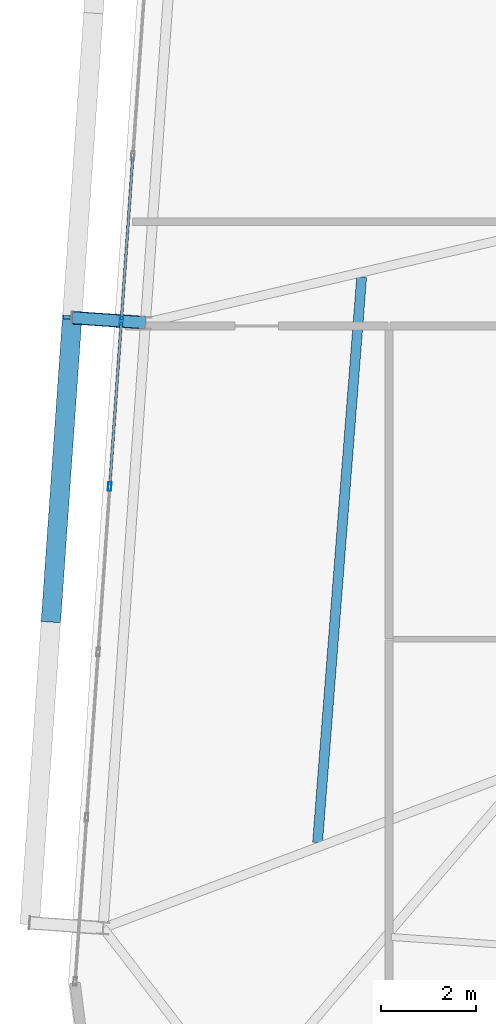
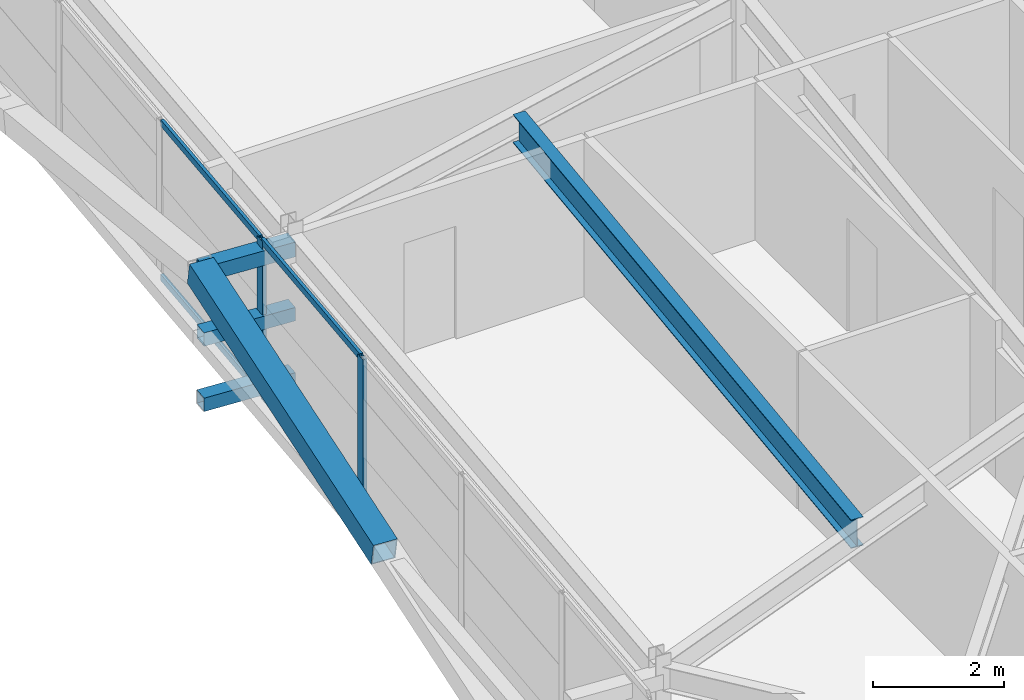
# One storey, part 14 of 47: 10 members, 1 beam, 1 element without a shape of its own.
"""IFC4 building model written with IfcOpenShell, lengths in metres."""

import ifcopenshell
import ifcopenshell.guid

model = None  # the IFC model being written
_history = None  # IfcOwnerHistory: only IFC2X3 demands one
_inside = {}  # id of a spatial element -> (the spatial element, [elements in it])
_under = {}  # id of a project, library or spatial element -> (it, [spatial elements below it])
_declared = {}  # id of a project -> (the project, [libraries it declares])
_typed = {}  # id of a type object -> (the type object, [elements of that type])
_made_of = {}  # id of a material, layer set ... -> (it, [elements and type objects made of it])


def new_model(schema):
    """Start an empty IFC model of exactly this schema.

    Asked for "IFC4X3", IfcOpenShell would pick the latest addendum, in which some entities
    have other attributes; the version numbers below select the first issue.
    IFC2X3 requires an IfcOwnerHistory on every rooted entity: one is made here for all.
    """
    global model, _history
    if schema == "IFC4X3":
        model = ifcopenshell.file(schema_version=(4, 3, 0, 0))
    else:
        model = ifcopenshell.file(schema=schema)
    _inside.clear()
    _under.clear()
    _declared.clear()
    _typed.clear()
    _made_of.clear()
    _history = None
    if model.schema == "IFC2X3":
        org = make("IfcOrganization", Name="unknown")
        user = make(
            "IfcPersonAndOrganization",
            ThePerson=make("IfcPerson", FamilyName="unknown"),
            TheOrganization=org,
        )
        app = make(
            "IfcApplication",
            ApplicationDeveloper=org,
            Version="unknown",
            ApplicationFullName="unknown",
            ApplicationIdentifier="unknown",
        )
        _history = make(
            "IfcOwnerHistory",
            OwningUser=user,
            OwningApplication=app,
            ChangeAction="ADDED",
            CreationDate=0,
        )
    return model


def make(cls, **values):
    """One entity of the class cls with the attributes given. An attribute that is None is left unset."""
    return model.create_entity(
        cls, **{name: value for name, value in values.items() if value is not None}
    )


def rooted(cls, **values):
    """An entity with a GlobalId (a new one), such as an element, a storey or a relation."""
    return make(cls, GlobalId=ifcopenshell.guid.new(), OwnerHistory=_history, **values)


def si_unit(unit_type, name, prefix=None):
    """IfcSIUnit, for example si_unit("LENGTHUNIT", "METRE", prefix="MILLI")."""
    return make("IfcSIUnit", UnitType=unit_type, Prefix=prefix, Name=name)


def assignment(units):
    """IfcUnitAssignment: the units of a project."""
    return None if units is None else make("IfcUnitAssignment", Units=units)


def point(xyz):
    """IfcCartesianPoint."""
    return None if xyz is None else make("IfcCartesianPoint", Coordinates=xyz)


def direction(xyz):
    """IfcDirection."""
    return None if xyz is None else make("IfcDirection", DirectionRatios=xyz)


def frame(location, z_axis=None, x_axis=None):
    """IfcAxis2Placement3D, a coordinate frame: its origin and axes. An axis left out is left unset."""
    return make(
        "IfcAxis2Placement3D",
        Location=point(location),
        Axis=direction(z_axis),
        RefDirection=direction(x_axis),
    )


def frame_2d(location, x_axis=None):
    """IfcAxis2Placement2D, a coordinate frame in the plane: its origin and x axis."""
    return make(
        "IfcAxis2Placement2D", Location=point(location), RefDirection=direction(x_axis)
    )


def origin():
    """The frame at (0, 0, 0) with its axes left unset."""
    return frame((0.0, 0.0, 0.0))


def origin_2d():
    """The frame at (0, 0) in the plane with its x axis left unset."""
    return frame_2d((0.0, 0.0))


def place(relative_to, where):
    """IfcLocalPlacement: puts the frame where relative to a parent placement (None: the world)."""
    return make(
        "IfcLocalPlacement", PlacementRelTo=relative_to, RelativePlacement=where
    )


def context(
    kind, dimensions, precision=None, world=None, true_north=None, identifier=None
):
    """IfcGeometricRepresentationContext, for example the 3D "Model" context."""
    return make(
        "IfcGeometricRepresentationContext",
        ContextIdentifier=identifier,
        ContextType=kind,
        CoordinateSpaceDimension=dimensions,
        Precision=precision,
        WorldCoordinateSystem=world,
        TrueNorth=true_north,
    )


def subcontext(parent, identifier, kind, view, scale=None):
    """IfcGeometricRepresentationSubContext, for example "Body" below "Model"."""
    return make(
        "IfcGeometricRepresentationSubContext",
        ContextIdentifier=identifier,
        ContextType=kind,
        ParentContext=parent,
        TargetScale=scale,
        TargetView=view,
    )


def project(units=None, contexts=None):
    """IfcProject with its units and contexts."""
    return rooted(
        "IfcProject",
        Name="project",
        RepresentationContexts=contexts,
        UnitsInContext=assignment(units),
    )


def spatial(cls, under=None, at=None, **own):
    """A site, building, storey or space (cls), placed at a placement, below another one or the project."""
    s = rooted(cls, ObjectPlacement=at, **own)
    if under is not None:
        _under.setdefault(under.id(), (under, []))[1].append(s)
    return s


def profile(cls, at=None, kind="AREA", **sizes):
    """A parametric profile (cls). Its sizes go by their IFC names, for example OverallWidth=200.0."""
    return make(cls, ProfileType=kind, Position=at, **sizes)


def hollow_rectangle(**sizes):
    """IfcRectangleHollowProfileDef."""
    return profile("IfcRectangleHollowProfileDef", **sizes)


def i_section(**sizes):
    """IfcIShapeProfileDef."""
    return profile("IfcIShapeProfileDef", **sizes)


def extrude(swept, where, along, depth):
    """IfcExtrudedAreaSolid: the profile swept, set in the frame where, extruded along a direction by depth."""
    return make(
        "IfcExtrudedAreaSolid",
        SweptArea=swept,
        Position=where,
        ExtrudedDirection=direction(along),
        Depth=depth,
    )


def shape(context_of_items, identifier, shape_type, items):
    """IfcShapeRepresentation: the items that make up one representation, for example the "Body"."""
    return make(
        "IfcShapeRepresentation",
        ContextOfItems=context_of_items,
        RepresentationIdentifier=identifier,
        RepresentationType=shape_type,
        Items=items,
    )


def source(mapping_origin, context_of_items, identifier, shape_type, items):
    """IfcRepresentationMap: a shape defined once, which mapped items show again and again."""
    return make(
        "IfcRepresentationMap",
        MappingOrigin=mapping_origin,
        MappedRepresentation=shape(context_of_items, identifier, shape_type, items),
    )


def transform(
    local_origin,
    x_axis=None,
    y_axis=None,
    z_axis=None,
    scale=None,
    scale2=None,
    scale3=None,
    uniform=True,
):
    """IfcCartesianTransformationOperator3D, or its non-uniform kind. x_axis, y_axis, z_axis: its Axis1, 2, 3."""
    if uniform:
        return make(
            "IfcCartesianTransformationOperator3D",
            Axis1=direction(x_axis),
            Axis2=direction(y_axis),
            LocalOrigin=point(local_origin),
            Scale=scale,
            Axis3=direction(z_axis),
        )
    return make(
        "IfcCartesianTransformationOperator3DnonUniform",
        Axis1=direction(x_axis),
        Axis2=direction(y_axis),
        LocalOrigin=point(local_origin),
        Scale=scale,
        Axis3=direction(z_axis),
        Scale2=scale2,
        Scale3=scale3,
    )


def mapped(mapping_source, mapping_target):
    """IfcMappedItem: shows the shape of a source again, moved by a transform."""
    return make(
        "IfcMappedItem", MappingSource=mapping_source, MappingTarget=mapping_target
    )


def material(Name=None, Category=None):
    """IfcMaterial."""
    return make("IfcMaterial", Name=Name, Category=Category)


def layer(
    of_material, thickness, ventilated=None, Name=None, Category=None, Priority=None
):
    """IfcMaterialLayer: one layer of a wall or slab, of a material (None: an air gap)."""
    return make(
        "IfcMaterialLayer",
        Material=of_material,
        LayerThickness=thickness,
        IsVentilated=ventilated,
        Name=Name,
        Category=Category,
        Priority=Priority,
    )


def layer_set(layers, Name=None):
    """IfcMaterialLayerSet."""
    return make("IfcMaterialLayerSet", MaterialLayers=layers, LayerSetName=Name)


def material_profile(
    of_material, cross_section, Name=None, Category=None, Priority=None
):
    """IfcMaterialProfile: a cross section and its material."""
    return make(
        "IfcMaterialProfile",
        Name=Name,
        Material=of_material,
        Profile=cross_section,
        Priority=Priority,
        Category=Category,
    )


def profile_set(profiles, Name=None, composite=None):
    """IfcMaterialProfileSet."""
    return make(
        "IfcMaterialProfileSet",
        Name=Name,
        MaterialProfiles=profiles,
        CompositeProfile=composite,
    )


def made_of(thing, what):
    """Note that an element or type object is made of a material, layer set ...; save() writes the relation."""
    if what is not None:
        _made_of.setdefault(what.id(), (what, []))[1].append(thing)
    return thing


def type_object(cls, material=None, **own):
    """A type object (cls), such as IfcWallType, which elements share."""
    return made_of(rooted(cls, **own), material)


def element(
    cls,
    number,
    at=None,
    inside=None,
    cuts=None,
    type_object=None,
    material=None,
    context=None,
    identifier="Body",
    shape_type=None,
    held_by="IfcProductDefinitionShape",
    body=None,
    shapes=None,
    **own,
):
    """One element of the class cls, such as IfcWall. Its Tag is "e" and its number.

    at: its placement. inside: the storey or other place that contains it. cuts: it is an
    opening in that element (IfcRelVoidsElement). A single representation is given by context,
    identifier, shape_type and body (its items); several are given by shapes. held_by: the class
    of the entity that holds the representations. save() writes the other relations.
    """
    e = rooted(cls, Tag="e%d" % number, ObjectPlacement=at, **own)
    if body is not None:
        shapes = [shape(context, identifier, shape_type, body)]
    if shapes is not None:
        e.Representation = make(held_by, Representations=shapes)
    if inside is not None:
        _inside.setdefault(inside.id(), (inside, []))[1].append(e)
    if cuts is not None:
        rooted(
            "IfcRelVoidsElement", RelatingBuildingElement=cuts, RelatedOpeningElement=e
        )
    if type_object is not None:
        _typed.setdefault(type_object.id(), (type_object, []))[1].append(e)
    return made_of(e, material)


def aggregate(whole, parts):
    """IfcRelAggregates: a whole, such as a stair, and the parts it consists of."""
    return rooted("IfcRelAggregates", RelatingObject=whole, RelatedObjects=parts)


def save(model, path):
    """Write the relations noted so far, then the file.

    IfcRelAggregates (storeys below a building ...), IfcRelContainedInSpatialStructure (elements
    in a storey), IfcRelDefinesByType, IfcRelAssociatesMaterial and IfcRelDeclares: one each for
    every whole, place, type object, material and project.
    """
    for whole, parts in _under.values():
        aggregate(whole, parts)
    for where, things in _inside.values():
        rooted(
            "IfcRelContainedInSpatialStructure",
            RelatedElements=things,
            RelatingStructure=where,
        )
    for kind, things in _typed.values():
        rooted("IfcRelDefinesByType", RelatedObjects=things, RelatingType=kind)
    for what, things in _made_of.values():
        rooted("IfcRelAssociatesMaterial", RelatedObjects=things, RelatingMaterial=what)
    for by, libraries in _declared.values():
        rooted("IfcRelDeclares", RelatingContext=by, RelatedDefinitions=libraries)
    model.write(path)


model = new_model("IFC4")

# Units and contexts
model_context = context("Model", 3, precision=1e-05, world=origin(), true_north=direction((0.0, 1.0)))
body_context = subcontext(model_context, "Body", "Model", "MODEL_VIEW")
ifc_project = project(units=[si_unit("LENGTHUNIT", "METRE"), si_unit("AREAUNIT", "SQUARE_METRE"), si_unit("VOLUMEUNIT", "CUBIC_METRE"), si_unit("PLANEANGLEUNIT", "RADIAN"), si_unit("MASSUNIT", "GRAM", prefix="KILO")], contexts=[model_context])

# Site, building, storey
site_placement = place(None, origin())
site = spatial("IfcSite", under=ifc_project, at=site_placement, CompositionType="ELEMENT")
building_placement = place(site_placement, origin())
building = spatial("IfcBuilding", under=site, at=building_placement, Name="Taldren Reach Tower", CompositionType="ELEMENT")
storey_placement = place(building_placement, frame((0.0, 0.0, 139.300048828125)))
storey = spatial("IfcBuildingStorey", under=building, at=storey_placement, Name="L42", CompositionType="ELEMENT", Elevation=139.300048828125)

# Members
ifc_material_1 = material(Name="Steel Gr 450 (C450L0)", Category="steel")
ifc_material_profile_1 = material_profile(ifc_material_1, hollow_rectangle(XDim=0.27490234375, YDim=0.27490234375, WallThickness=0.00927734375, at=origin_2d()), Name="275x275x9.3SHS")
ifc_profile_set_1 = profile_set([ifc_material_profile_1], Name="Steel Gr 450 (C450L0)")
member_type_1 = type_object("IfcMemberType", Name="MB-TIE273", PredefinedType="STRUT", material=ifc_profile_set_1)
shared_shape_1 = source(origin(), body_context, "Body", "SweptSolid", [
    extrude(hollow_rectangle(XDim=0.27490234375, YDim=0.27490234375, WallThickness=0.00927734375, at=origin_2d()), origin(), (0.0, 0.0, 1.0), 1.550048828125),
])
member_1_placement = place(storey_placement, frame((9.86181640625, 21.868408203125, 2.64990234375), z_axis=(-0.99756313426, 0.06976957191, 0.0), x_axis=(-0.06976957191, -0.99756313426, 0.0)))
element("IfcMember", 1, at=member_1_placement, inside=storey, type_object=member_type_1, Name="Exoskeleton diaphragm tie strut B3-W2 L42", PredefinedType="STRUT", context=body_context, shape_type="MappedRepresentation", body=[
    mapped(shared_shape_1, transform((0.0, 0.0, 0.0), scale=1.0)),
])
ifc_material_2 = material(Name="Steel Gr 350 (C350L0)", Category="steel")
ifc_material_profile_2 = material_profile(ifc_material_2, hollow_rectangle(XDim=0.25, YDim=0.25, WallThickness=0.010009765625, at=origin_2d()), Name="250x250x10.0SHS")
ifc_profile_set_2 = profile_set([ifc_material_profile_2], Name="Steel Gr 350 (C350L0)")
member_type_2 = type_object("IfcMemberType", Name="MB-POST250", PredefinedType="POST", material=ifc_profile_set_2)
shared_shape_2 = source(origin(), body_context, "Body", "SweptSolid", [
    extrude(hollow_rectangle(XDim=0.25, YDim=0.25, WallThickness=0.010009765625, at=origin_2d()), origin(), (0.0, 0.0, 1.0), 1.550048828125),
])
for number, where, z_axis, x_axis, name in (
    (2, (9.86181640625, 21.868408203125, 0.219970703125), (-0.99756313426, 0.06976957191, 0.0), (-0.06976957191, -0.99756313426, 0.0), "Exoskeleton base diaphragm tie strut B3-W2 L42"),
    (3, (9.86181640625, 21.868408203125, 1.43505859375), (-0.99756313426, 0.06976957191, 0.0), (-0.06976957191, -0.99756313426, 0.0), "Exoskeleton mid-tier diaphragm tie B3-W2 L42"),
):
    element("IfcMember", number, at=place(storey_placement, frame(where, z_axis=z_axis, x_axis=x_axis)), inside=storey, type_object=member_type_2, Name=name, PredefinedType="POST", context=body_context, shape_type="MappedRepresentation", body=[
        mapped(shared_shape_2, transform((0.0, 0.0, 0.0), scale=1.0)),
    ])

# Beam
ifc_material_3 = material(Name="Steel Gr 350 (350PLUS)", Category="steel")
ifc_material_profile_3 = material_profile(ifc_material_3, i_section(OverallWidth=0.208984375, OverallDepth=0.532958984375, WebThickness=0.01025390625, FlangeThickness=0.015625, at=origin_2d()), Name="530UB92.4")
ifc_profile_set_3 = profile_set([ifc_material_profile_3], Name="Steel Gr 350 (350PLUS)")
beam_type = type_object("IfcBeamType", Name="BM-UB530A", PredefinedType="BEAM", material=ifc_profile_set_3)
shared_shape_3 = source(origin(), body_context, "Body", "SweptSolid", [
    extrude(i_section(OverallWidth=0.208984375, OverallDepth=0.532958984375, WebThickness=0.01025390625, FlangeThickness=0.015625, at=origin_2d()), origin(), (0.0, 0.0, 1.0), 11.965576171875),
])
beam_placement = place(storey_placement, frame((13.49267578125, 10.90478515625, 2.663330078125), z_axis=(0.077757433297, 0.996972307322, 0.0), x_axis=(-0.996972307322, 0.077757433297, 0.0)))
element("IfcBeam", 4, at=beam_placement, inside=storey, type_object=beam_type, Name="Secondary floor beam B3 J6 L42", PredefinedType="BEAM", context=body_context, shape_type="MappedRepresentation", body=[
    mapped(shared_shape_3, transform((0.0, 0.0, 0.0), scale=1.0)),
])

# Member
ifc_material_profile_4 = material_profile(ifc_material_1, hollow_rectangle(XDim=0.409912109375, YDim=0.409912109375, WallThickness=0.01611328125, at=origin_2d()), Name="410x410x16.0SHS")
ifc_profile_set_4 = profile_set([ifc_material_profile_4], Name="Steel Gr 450 (C450L0)")
member_type_3 = type_object("IfcMemberType", Name="MB-EXO406", PredefinedType="BRACE", material=ifc_profile_set_4)
shared_shape_4 = source(origin(), body_context, "Body", "SweptSolid", [
    extrude(hollow_rectangle(XDim=0.409912109375, YDim=0.409912109375, WallThickness=0.01611328125, at=origin_2d()), origin(), (0.0, 0.0, 1.0), 6.514404296875),
])
member_2_placement = place(storey_placement, frame((7.869140625, 15.592041015625, 1.43505859375), z_axis=(0.068508304784, 0.980066016634, 0.186486501425), x_axis=(-0.997565791441, 0.069731569223, 0.0)))
element("IfcMember", 5, at=member_2_placement, inside=storey, type_object=member_type_3, Name="Exoskeleton Diagrid Brace B3-W1 L42", PredefinedType="BRACE", context=body_context, shape_type="MappedRepresentation", body=[
    mapped(shared_shape_4, transform((0.0, 0.0, 0.0), scale=1.0)),
])

# Curtain wall, members
ifc_material_4 = material(Name="Aluminium and Low-E Glass Unitised System", Category="aluminium")
ifc_layer = layer(ifc_material_4, 0.159912109375)
ifc_layer_set = layer_set([ifc_layer], Name="Aluminium and Low-E Glass Unitised System")
curtain_wall_type = type_object("IfcCurtainWallType", Name="CW-SYS-4", PredefinedType="NOTDEFINED", material=ifc_layer_set)
curtain_wall_placement = place(storey_placement, origin())
curtain_wall = element("IfcCurtainWall", 6, at=curtain_wall_placement, inside=storey, type_object=curtain_wall_type, Name="Unitised curtain wall CW-L42-W", PredefinedType="NOTDEFINED")
ifc_material_5 = material(Name="Anodised Aluminium 6063-T6", Category="aluminium")
ifc_material_profile_5 = material_profile(ifc_material_5, hollow_rectangle(XDim=0.070068359375, YDim=0.179931640625, WallThickness=0.00390625, at=origin_2d()), Name="ALU-180x70x4RHS")
ifc_profile_set_5 = profile_set([ifc_material_profile_5], Name="Anodised Aluminium 6063-T6")
member_type_4 = type_object("IfcMemberType", Name="CW-MUL-180", PredefinedType="MULLION", material=ifc_profile_set_5)
shared_shape_5 = source(origin(), body_context, "Body", "SweptSolid", [
    extrude(hollow_rectangle(XDim=0.070068359375, YDim=0.179931640625, WallThickness=0.00390625, at=origin_2d()), origin(), (0.0, 0.0, 1.0), 2.929931640625),
])
member_3_placement = place(storey_placement, frame((9.35302734375, 21.90380859375, 0.0), z_axis=(0.0, 0.0, 1.0), x_axis=(0.997564052812, -0.069756437251, 0.0)))
member_3 = element("IfcMember", 7, at=member_3_placement, type_object=member_type_4, Name="CW-4 mullion 5", PredefinedType="MULLION", context=body_context, shape_type="MappedRepresentation", body=[
    mapped(shared_shape_5, transform((0.0, 0.0, 0.0), scale=1.0)),
])
member_4_placement = place(storey_placement, frame((9.10888671875, 18.412353515625, 0.0), z_axis=(0.0, 0.0, 1.0), x_axis=(0.997564052812, -0.069756437251, 0.0)))
member_4 = element("IfcMember", 8, at=member_4_placement, type_object=member_type_4, Name="CW-4 mullion 6", PredefinedType="MULLION", context=body_context, shape_type="MappedRepresentation", body=[
    mapped(shared_shape_5, transform((0.0, 0.0, 0.0), scale=1.0)),
])
ifc_material_profile_6 = material_profile(ifc_material_5, hollow_rectangle(XDim=0.054931640625, YDim=0.1201171875, WallThickness=0.0029296875, at=origin_2d()), Name="ALU-120x55x3RHS")
ifc_profile_set_6 = profile_set([ifc_material_profile_6], Name="Anodised Aluminium 6063-T6")
member_type_5 = type_object("IfcMemberType", Name="CW-TRN-135", PredefinedType="USERDEFINED", material=ifc_profile_set_6)
shared_shape_6 = source(origin(), body_context, "Body", "SweptSolid", [
    extrude(hollow_rectangle(XDim=0.054931640625, YDim=0.1201171875, WallThickness=0.0029296875, at=origin_2d()), origin(), (0.0, 0.0, 1.0), 3.429931640625),
])
member_5_placement = place(storey_placement, frame((9.5947265625, 25.3603515625, 0.02734375), z_axis=(-0.069754754695, -0.997564170466, 0.0), x_axis=(0.997564170466, -0.069754754695, 0.0)))
member_5 = element("IfcMember", 9, at=member_5_placement, type_object=member_type_5, Name="CW-4 transom 4.1", ObjectType="TRANSOM", PredefinedType="USERDEFINED", context=body_context, shape_type="MappedRepresentation", body=[
    mapped(shared_shape_6, transform((0.0, 0.0, 0.0), scale=1.0)),
])
member_6_placement = place(storey_placement, frame((9.5947265625, 25.3603515625, 2.90234375), z_axis=(-0.069754754695, -0.997564170466, 0.0), x_axis=(0.997564170466, -0.069754754695, 0.0)))
member_6 = element("IfcMember", 10, at=member_6_placement, type_object=member_type_5, Name="CW-4 transom 4.2", ObjectType="TRANSOM", PredefinedType="USERDEFINED", context=body_context, shape_type="MappedRepresentation", body=[
    mapped(shared_shape_6, transform((0.0, 0.0, 0.0), scale=1.0)),
])
member_7_placement = place(storey_placement, frame((9.3505859375, 21.868896484375, 0.02734375), z_axis=(-0.069754754695, -0.997564170466, 0.0), x_axis=(0.997564170466, -0.069754754695, 0.0)))
member_7 = element("IfcMember", 11, at=member_7_placement, type_object=member_type_5, Name="CW-4 transom 5.1", ObjectType="TRANSOM", PredefinedType="USERDEFINED", context=body_context, shape_type="MappedRepresentation", body=[
    mapped(shared_shape_6, transform((0.0, 0.0, 0.0), scale=1.0)),
])
member_8_placement = place(storey_placement, frame((9.3505859375, 21.868896484375, 2.90234375), z_axis=(-0.069754754695, -0.997564170466, 0.0), x_axis=(0.997564170466, -0.069754754695, 0.0)))
member_8 = element("IfcMember", 12, at=member_8_placement, type_object=member_type_5, Name="CW-4 transom 5.2", ObjectType="TRANSOM", PredefinedType="USERDEFINED", context=body_context, shape_type="MappedRepresentation", body=[
    mapped(shared_shape_6, transform((0.0, 0.0, 0.0), scale=1.0)),
])
aggregate(curtain_wall, [member_3, member_4, member_5, member_6, member_7, member_8])

save(model, "model.ifc")
